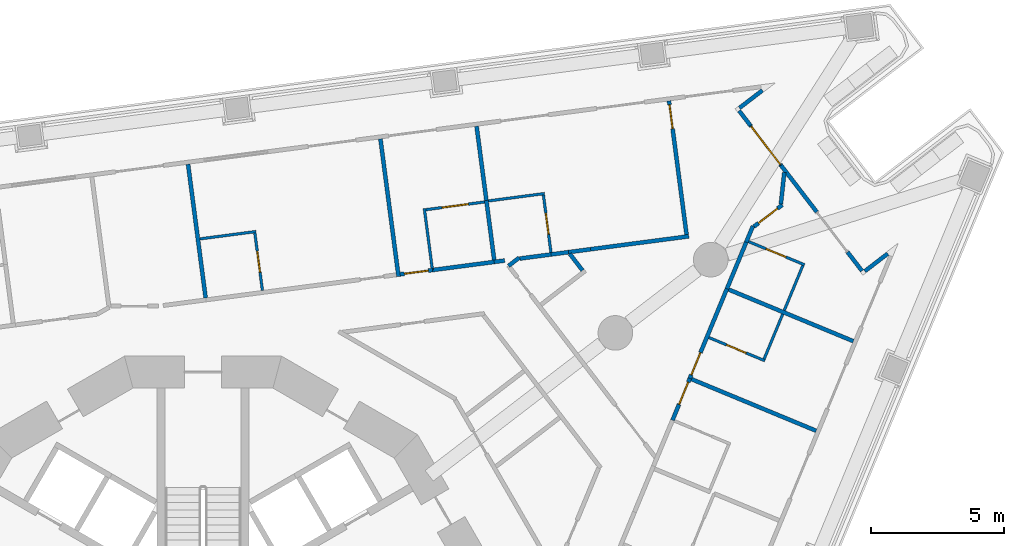
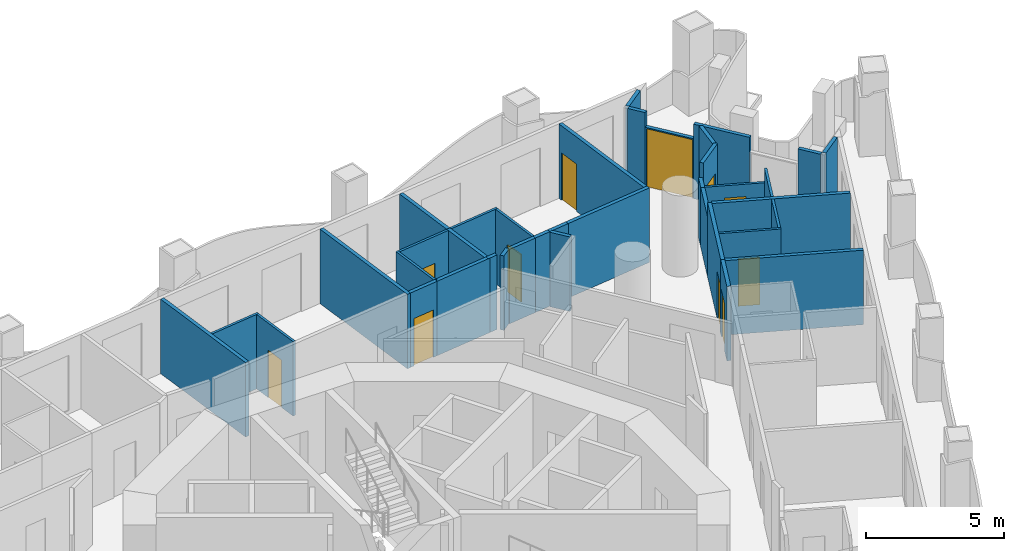
# One storey, part 10 of 19: 38 walls, 11 doors, 11 openings.
"""IFC4 building model written with IfcOpenShell, lengths in metres."""

from ifc_helpers import new_model, si_unit, direction, frame, frame_2d, origin, place, context, subcontext, project, spatial, polyline, rectangle, outline, extrude, material, layer, layer_set, type_object, element, fill, save


model = new_model("IFC4")

# Units and contexts
model_context = context("Model", 3, precision=1e-05, world=origin(), true_north=direction((0.0, 1.0)))
body_context = subcontext(model_context, "Body", "Model", "MODEL_VIEW")
ifc_project = project(units=[si_unit("LENGTHUNIT", "METRE"), si_unit("AREAUNIT", "SQUARE_METRE"), si_unit("VOLUMEUNIT", "CUBIC_METRE"), si_unit("PLANEANGLEUNIT", "RADIAN"), si_unit("MASSUNIT", "GRAM", prefix="KILO")], contexts=[model_context])

# Site, building, storey
site_placement = place(None, origin())
site = spatial("IfcSite", under=ifc_project, at=site_placement, CompositionType="ELEMENT")
building_placement = place(site_placement, origin())
building = spatial("IfcBuilding", under=site, at=building_placement, Name="Trine Commons Tower", CompositionType="ELEMENT")
storey_placement = place(building_placement, frame((0.0, 0.0, 75.60009765625)))
storey = spatial("IfcBuildingStorey", under=building, at=storey_placement, Name="L18", CompositionType="ELEMENT", Elevation=75.60009765625)

# Walls
ifc_material_1 = material(Name="Aluminium-framed insulated wall panel", Category="aluminium")
ifc_layer_1 = layer(ifc_material_1, 0.14990234375)
ifc_layer_set_1 = layer_set([ifc_layer_1], Name="Aluminium-framed insulated wall panel")
wall_type_1 = type_object("IfcWallType", Name="Glazed frame wall 150, EI 60", PredefinedType="SOLIDWALL", material=ifc_layer_set_1)
wall_1_placement = place(storey_placement, frame((101.129150390625, 83.584716796875, 0.0), z_axis=(0.0, 0.0, 1.0), x_axis=(-0.79337253673, -0.608736410905, 0.0)))
element("IfcWall", 1, at=wall_1_placement, inside=storey, type_object=wall_type_1, Name="Glazed frame wall R5", PredefinedType="SOLIDWALL", context=body_context, shape_type="SweptSolid", body=[
    extrude(outline(polyline([(0.1494140625, 0.074951171875), (0.1494140625, -0.074951171875), (1.235107421875, -0.074951171875), (1.235107421875, 0.074951171875), (0.1494140625, 0.074951171875)])), origin(), (0.0, 0.0, 1.0), 3.2998046875),
])
wall_2_placement = place(storey_placement, frame((100.068603515625, 82.81494140625, 0.0), z_axis=(0.0, 0.0, 1.0), x_axis=(0.608899188606, -0.79324761463, 0.0)))
element("IfcWall", 2, at=wall_2_placement, inside=storey, type_object=wall_type_1, Name="Glazed frame wall P2.1", PredefinedType="SOLIDWALL", context=body_context, shape_type="SweptSolid", body=[
    extrude(outline(polyline([(0.110107421875, -0.074951171875), (0.800048828125, -0.074951171875), (0.800048828125, 0.074951171875), (0.110107421875, 0.074951171875), (0.110107421875, -0.074951171875)])), origin(), (0.0, 0.0, 1.0), 3.2998046875),
])

# Wall, opening, door
wall_3_placement = place(storey_placement, frame((100.5556640625, 82.180419921875, 0.0), z_axis=(0.0, 0.0, 1.0), x_axis=(0.608803740143, -0.793320872023, 0.0)))
wall_3 = element("IfcWall", 3, at=wall_3_placement, inside=storey, type_object=wall_type_1, Name="Glazed frame wall P2.2", PredefinedType="SOLIDWALL", context=body_context, shape_type="SweptSolid", body=[
    extrude(outline(polyline([(0.0, -0.074951171875), (1.89990234375, -0.074951171875), (1.89990234375, 0.074951171875), (0.0, 0.074951171875), (0.0, -0.074951171875)])), origin(), (0.0, 0.0, 1.0), 2.64990234375),
])
opening_1_placement = place(wall_3_placement, frame((0.050048828125, 0.0, 0.0)))
opening_1 = element("IfcOpeningElement", 4, at=opening_1_placement, cuts=wall_3, Name="Opening BD-2P2-01", PredefinedType="OPENING", context=body_context, shape_type="SweptSolid", body=[
    extrude(rectangle(XDim=1.800048828125, YDim=2.60009765625, at=frame_2d((0.89990234375, 1.300048828125))), frame((0.0, 0.0849609375, 0.0), z_axis=(0.0, -1.0, 0.0), x_axis=(1.0, 0.0, 0.0)), (0.0, 0.0, 1.0), 0.169921875),
])
ifc_material_2 = material(Name="Anodised aluminium frame with double glazing", Category="aluminium")
door_type_1 = type_object("IfcDoorType", Name="Sliding loggia door 1800x2600", OperationType="SLIDING_TO_LEFT", PredefinedType="DOOR", material=ifc_material_2)
door_1_placement = place(opening_1_placement, origin())
door_1 = element("IfcDoor", 5, at=door_1_placement, inside=storey, type_object=door_type_1, Name="Loggia door P2 1", OperationType="SLIDING_TO_LEFT", OverallHeight=2.60009765625, OverallWidth=1.800048828125, PredefinedType="DOOR", context=body_context, shape_type="SweptSolid", body=[
    extrude(rectangle(XDim=1.800048828125, YDim=2.60009765625, at=frame_2d((0.89990234375, 1.300048828125))), frame((0.0, 0.02490234375, 0.0), z_axis=(0.0, -1.0, 0.0), x_axis=(1.0, 0.0, 0.0)), (0.0, 0.0, 1.0), 0.050048828125),
])
fill(opening_1, door_1)

# Walls
wall_4_placement = place(storey_placement, frame((101.71240234375, 80.673095703125, 0.0), z_axis=(0.0, 0.0, 1.0), x_axis=(0.608664482268, -0.793427720732, 0.0)))
element("IfcWall", 6, at=wall_4_placement, inside=storey, type_object=wall_type_1, Name="Glazed frame wall P2.3", PredefinedType="SOLIDWALL", context=body_context, shape_type="SweptSolid", body=[
    extrude(outline(polyline([(0.0, -0.074951171875), (2.199951171875, -0.074951171875), (2.199951171875, 0.074951171875), (0.0, 0.074951171875), (0.0, -0.074951171875)])), origin(), (0.0, 0.0, 1.0), 3.2998046875),
])
wall_5_placement = place(storey_placement, frame((104.208251953125, 77.420166015625, 0.0), z_axis=(0.0, 0.0, 1.0), x_axis=(0.608754453805, -0.793358692504, 0.0)))
element("IfcWall", 7, at=wall_5_placement, inside=storey, type_object=wall_type_1, Name="Glazed frame wall P2.5", PredefinedType="SOLIDWALL", context=body_context, shape_type="SweptSolid", body=[
    extrude(outline(polyline([(0.889892578125, 0.074951171875), (0.0, 0.074951171875), (0.0, -0.074951171875), (0.889892578125, -0.074951171875), (0.889892578125, 0.074951171875)])), origin(), (0.0, 0.0, 1.0), 3.2998046875),
])
wall_6_placement = place(storey_placement, frame((104.767822265625, 76.63330078125, 0.0), z_axis=(0.0, 0.0, 1.0), x_axis=(0.793352136239, 0.608762998157, 0.0)))
element("IfcWall", 8, at=wall_6_placement, inside=storey, type_object=wall_type_1, Name="Glazed frame wall R7", PredefinedType="SOLIDWALL", context=body_context, shape_type="SweptSolid", body=[
    extrude(outline(polyline([(0.110107421875, 0.074951171875), (0.110107421875, -0.074951171875), (1.19580078125, -0.074951171875), (1.19580078125, 0.074951171875), (0.110107421875, 0.074951171875)])), origin(), (0.0, 0.0, 1.0), 3.2998046875),
])
ifc_material_3 = material(Name="Gypsum plasterboard on steel stud", Category="steel")
ifc_layer_2 = layer(ifc_material_3, 0.14990234375)
ifc_layer_set_2 = layer_set([ifc_layer_2], Name="Gypsum plasterboard on steel stud")
wall_type_2 = type_object("IfcWallType", Name="Unit and corridor wall 150 mm, EI 60", PredefinedType="PARTITIONING", material=ifc_layer_set_2)
wall_7_placement = place(storey_placement, frame((79.439208984375, 80.71923828125, 0.0), z_axis=(0.0, 0.0, 1.0), x_axis=(0.130505643681, -0.991447566424, 0.0)))
element("IfcWall", 9, at=wall_7_placement, inside=storey, type_object=wall_type_2, Name="Partition 077", PredefinedType="PARTITIONING", context=body_context, shape_type="SweptSolid", body=[
    extrude(rectangle(XDim=5.06396484375, YDim=0.14990234375, at=frame_2d((2.531982421875, 0.0))), origin(), (0.0, 0.0, 1.0), 3.2998046875),
])
wall_8_placement = place(storey_placement, frame((86.664306640625, 81.67041015625, 0.0), z_axis=(0.0, 0.0, 1.0), x_axis=(0.130516294002, -0.991446164449, 0.0)))
element("IfcWall", 10, at=wall_8_placement, inside=storey, type_object=wall_type_2, Name="Partition 101", PredefinedType="PARTITIONING", context=body_context, shape_type="SweptSolid", body=[
    extrude(rectangle(XDim=5.21337890625, YDim=0.14990234375, at=frame_2d((2.606689453125, 0.0))), origin(), (0.0, 0.0, 1.0), 3.2998046875),
])

# Wall, opening, door
wall_9_placement = place(storey_placement, frame((87.405517578125, 76.584716796875, 0.0), z_axis=(0.0, 0.0, 1.0), x_axis=(0.99140610916, 0.130820207616, 0.0)))
wall_9 = element("IfcWall", 11, at=wall_9_placement, inside=storey, type_object=wall_type_2, Name="Partition 105", PredefinedType="PARTITIONING", context=body_context, shape_type="SweptSolid", body=[
    extrude(rectangle(XDim=1.22607421875, YDim=0.14990234375, at=frame_2d((0.613037109375, 0.0))), origin(), (0.0, 0.0, 1.0), 3.2998046875),
])
opening_2_placement = place(wall_9_placement, frame((0.160888671875, 0.0, 0.0)))
opening_2 = element("IfcOpeningElement", 12, at=opening_2_placement, cuts=wall_9, Name="Opening D-2C13", PredefinedType="OPENING", context=body_context, shape_type="SweptSolid", body=[
    extrude(rectangle(XDim=0.89990234375, YDim=2.10009765625, at=frame_2d((0.449951171875, 1.050048828125))), frame((0.0, 0.0849609375, 0.0), z_axis=(0.0, -1.0, 0.0), x_axis=(1.0, 0.0, 0.0)), (0.0, 0.0, 1.0), 0.169921875),
])
ifc_material_4 = material(Name="Timber fire door set", Category="wood")
door_type_2 = type_object("IfcDoorType", Name="Bedroom door 900 x 2100, FD30S", OperationType="NOTDEFINED", PredefinedType="DOOR", material=ifc_material_4)
door_2_placement = place(opening_2_placement, origin())
door_2 = element("IfcDoor", 13, at=door_2_placement, inside=storey, type_object=door_type_2, Name="Door D-2C13", OperationType="SINGLE_SWING_LEFT", OverallHeight=2.10009765625, OverallWidth=0.89990234375, PredefinedType="DOOR", context=body_context, shape_type="SweptSolid", body=[
    extrude(rectangle(XDim=0.89990234375, YDim=2.10009765625, at=frame_2d((0.449951171875, 1.050048828125))), frame((0.0, 0.02490234375, 0.0), z_axis=(0.0, -1.0, 0.0), x_axis=(1.0, 0.0, 0.0)), (0.0, 0.0, 1.0), 0.050048828125),
])
fill(opening_2, door_2)

# Walls
wall_10_placement = place(storey_placement, frame((88.613037109375, 76.743896484375, 0.0), z_axis=(0.0, 0.0, 1.0), x_axis=(0.991430030874, 0.13063879164, 0.0)))
element("IfcWall", 14, at=wall_10_placement, inside=storey, type_object=wall_type_2, Name="Partition 111", PredefinedType="PARTITIONING", context=body_context, shape_type="SweptSolid", body=[
    extrude(rectangle(XDim=2.43310546875, YDim=0.14990234375, at=frame_2d((1.216552734375, 0.0))), origin(), (0.0, 0.0, 1.0), 3.2998046875),
])
wall_11_placement = place(storey_placement, frame((90.276123046875, 82.146240234375, 0.0), z_axis=(0.0, 0.0, 1.0), x_axis=(0.130770959069, -0.991412606468, 0.0)))
element("IfcWall", 15, at=wall_11_placement, inside=storey, type_object=wall_type_2, Name="Partition 117", PredefinedType="PARTITIONING", context=body_context, shape_type="SweptSolid", body=[
    extrude(rectangle(XDim=2.893798828125, YDim=0.14990234375, at=frame_2d((1.44677734375, 0.0))), origin(), (0.0, 0.0, 1.0), 3.2998046875),
])
wall_12_placement = place(storey_placement, frame((90.6435546875, 79.361572265625, 0.0), z_axis=(0.0, 0.0, 1.0), x_axis=(0.130227687499, -0.991484114552, 0.0)))
element("IfcWall", 16, at=wall_12_placement, inside=storey, type_object=wall_type_2, Name="Partition 121", PredefinedType="PARTITIONING", context=body_context, shape_type="SweptSolid", body=[
    extrude(rectangle(XDim=2.25537109375, YDim=0.14990234375, at=frame_2d((1.127685546875, 0.0))), origin(), (0.0, 0.0, 1.0), 3.2998046875),
])
wall_13_placement = place(storey_placement, frame((90.935302734375, 77.050048828125, 0.0), z_axis=(0.0, 0.0, 1.0), x_axis=(0.991508240123, 0.130043876322, 0.0)))
element("IfcWall", 17, at=wall_13_placement, inside=storey, type_object=wall_type_2, Name="Partition 125", PredefinedType="PARTITIONING", context=body_context, shape_type="SweptSolid", body=[
    extrude(rectangle(XDim=0.39990234375, YDim=0.14990234375, at=frame_2d((0.199951171875, 0.0))), origin(), (0.0, 0.0, 1.0), 3.2998046875),
])
wall_14_placement = place(storey_placement, frame((91.47607421875, 76.903076171875, 0.0), z_axis=(0.0, 0.0, 1.0), x_axis=(0.794371473226, 0.607432269908, 0.0)))
element("IfcWall", 18, at=wall_14_placement, inside=storey, type_object=wall_type_2, Name="Partition 129", PredefinedType="PARTITIONING", context=body_context, shape_type="SweptSolid", body=[
    extrude(rectangle(XDim=0.508056640625, YDim=0.14990234375, at=frame_2d((0.25390625, 0.0))), origin(), (0.0, 0.0, 1.0), 3.2998046875),
])
wall_15_placement = place(storey_placement, frame((91.894287109375, 77.17578125, 0.0), z_axis=(0.0, 0.0, 1.0), x_axis=(0.991471614011, 0.130322824598, 0.0)))
element("IfcWall", 19, at=wall_15_placement, inside=storey, type_object=wall_type_2, Name="Partition 130", PredefinedType="PARTITIONING", context=body_context, shape_type="SweptSolid", body=[
    extrude(rectangle(XDim=1.198974609375, YDim=0.14990234375, at=frame_2d((0.599609375, 0.0))), origin(), (0.0, 0.0, 1.0), 3.2998046875),
])
wall_16_placement = place(storey_placement, frame((93.074951171875, 77.3310546875, 0.0), z_axis=(0.0, 0.0, 1.0), x_axis=(0.991453033969, 0.130464100171, 0.0)))
element("IfcWall", 20, at=wall_16_placement, inside=storey, type_object=wall_type_2, Name="Partition 142", PredefinedType="PARTITIONING", context=body_context, shape_type="SweptSolid", body=[
    extrude(rectangle(XDim=0.65869140625, YDim=0.14990234375, at=frame_2d((0.329345703125, 0.0))), origin(), (0.0, 0.0, 1.0), 3.2998046875),
])
wall_17_placement = place(storey_placement, frame((93.773681640625, 77.357421875, 0.0), z_axis=(0.0, 0.0, 1.0), x_axis=(0.609485891215, -0.792796914985, 0.0)))
element("IfcWall", 21, at=wall_17_placement, inside=storey, type_object=wall_type_2, Name="Partition 145", PredefinedType="PARTITIONING", context=body_context, shape_type="SweptSolid", body=[
    extrude(rectangle(XDim=0.787109375, YDim=0.14990234375, at=frame_2d((0.3935546875, 0.0))), origin(), (0.0, 0.0, 1.0), 3.2998046875),
])
wall_18_placement = place(storey_placement, frame((93.72802734375, 77.4169921875, 0.0), z_axis=(0.0, 0.0, 1.0), x_axis=(0.991356991582, 0.131191902348, 0.0)))
element("IfcWall", 22, at=wall_18_placement, inside=storey, type_object=wall_type_2, Name="Partition 146", PredefinedType="PARTITIONING", context=body_context, shape_type="SweptSolid", body=[
    extrude(rectangle(XDim=0.83935546875, YDim=0.14990234375, at=frame_2d((0.419677734375, 0.0))), origin(), (0.0, 0.0, 1.0), 3.2998046875),
])
wall_19_placement = place(storey_placement, frame((94.56005859375, 77.527099609375, 0.0), z_axis=(0.0, 0.0, 1.0), x_axis=(0.991468816947, 0.130344102367, 0.0)))
element("IfcWall", 23, at=wall_19_placement, inside=storey, type_object=wall_type_2, Name="Partition 148", PredefinedType="PARTITIONING", context=body_context, shape_type="SweptSolid", body=[
    extrude(rectangle(XDim=3.718017578125, YDim=0.14990234375, at=frame_2d((1.85888671875, 0.0))), origin(), (0.0, 0.0, 1.0), 3.2998046875),
])

# Wall, opening, door
wall_20_placement = place(storey_placement, frame((97.501220703125, 83.097412109375, 0.0), z_axis=(0.0, 0.0, 1.0), x_axis=(0.130499406053, -0.991448387471, 0.0)))
wall_20 = element("IfcWall", 24, at=wall_20_placement, inside=storey, type_object=wall_type_2, Name="Partition 153", PredefinedType="PARTITIONING", context=body_context, shape_type="SweptSolid", body=[
    extrude(rectangle(XDim=5.064208984375, YDim=0.14990234375, at=frame_2d((2.5322265625, 0.0))), origin(), (0.0, 0.0, 1.0), 3.2998046875),
])
opening_3_placement = place(wall_20_placement, frame((0.14990234375, 0.0, 0.0)))
opening_3 = element("IfcOpeningElement", 25, at=opening_3_placement, cuts=wall_20, Name="Opening D-2C14", PredefinedType="OPENING", context=body_context, shape_type="SweptSolid", body=[
    extrude(rectangle(XDim=0.89990234375, YDim=2.10009765625, at=frame_2d((0.449951171875, 1.050048828125))), frame((0.0, 0.0849609375, 0.0), z_axis=(0.0, -1.0, 0.0), x_axis=(1.0, 0.0, 0.0)), (0.0, 0.0, 1.0), 0.169921875),
])
door_3_placement = place(opening_3_placement, frame((0.89990234375, 0.0, 0.0), z_axis=(0.0, 0.0, 1.0), x_axis=(-1.0, 0.0, 0.0)))
door_3 = element("IfcDoor", 26, at=door_3_placement, inside=storey, type_object=door_type_2, Name="Door D-2C14", OperationType="SINGLE_SWING_RIGHT", OverallHeight=2.10009765625, OverallWidth=0.89990234375, PredefinedType="DOOR", context=body_context, shape_type="SweptSolid", body=[
    extrude(rectangle(XDim=0.89990234375, YDim=2.10009765625, at=frame_2d((0.449951171875, 1.050048828125))), frame((0.0, 0.02490234375, 0.0), z_axis=(0.0, -1.0, 0.0), x_axis=(1.0, 0.0, 0.0)), (0.0, 0.0, 1.0), 0.050048828125),
])
fill(opening_3, door_3)

wall_21_placement = place(storey_placement, frame((97.633056640625, 71.10595703125, 0.0), z_axis=(0.0, 0.0, 1.0), x_axis=(0.382868343203, 0.923802918253, 0.0)))
wall_21 = element("IfcWall", 27, at=wall_21_placement, inside=storey, type_object=wall_type_2, Name="Partition 154", PredefinedType="PARTITIONING", context=body_context, shape_type="SweptSolid", body=[
    extrude(rectangle(XDim=1.697509765625, YDim=0.14990234375, at=frame_2d((0.8486328125, 0.0))), origin(), (0.0, 0.0, 1.0), 3.2998046875),
])
opening_4_placement = place(wall_21_placement, frame((0.647216796875, 0.0, 0.0)))
opening_4 = element("IfcOpeningElement", 28, at=opening_4_placement, cuts=wall_21, Name="Opening D-2C17", PredefinedType="OPENING", context=body_context, shape_type="SweptSolid", body=[
    extrude(rectangle(XDim=0.89990234375, YDim=2.10009765625, at=frame_2d((0.449951171875, 1.050048828125))), frame((0.0, 0.0849609375, 0.0), z_axis=(0.0, -1.0, 0.0), x_axis=(1.0, 0.0, 0.0)), (0.0, 0.0, 1.0), 0.169921875),
])
door_4_placement = place(opening_4_placement, frame((0.89990234375, 0.0, 0.0), z_axis=(0.0, 0.0, 1.0), x_axis=(-1.0, 0.0, 0.0)))
door_4 = element("IfcDoor", 29, at=door_4_placement, inside=storey, type_object=door_type_2, Name="Door D-2C17", OperationType="SINGLE_SWING_LEFT", OverallHeight=2.10009765625, OverallWidth=0.89990234375, PredefinedType="DOOR", context=body_context, shape_type="SweptSolid", body=[
    extrude(rectangle(XDim=0.89990234375, YDim=2.10009765625, at=frame_2d((0.449951171875, 1.050048828125))), frame((0.0, 0.02490234375, 0.0), z_axis=(0.0, -1.0, 0.0), x_axis=(1.0, 0.0, 0.0)), (0.0, 0.0, 1.0), 0.050048828125),
])
fill(opening_4, door_4)

wall_22_placement = place(storey_placement, frame((98.282958984375, 72.674072265625, 0.0), z_axis=(0.0, 0.0, 1.0), x_axis=(0.382639824681, 0.9238975942, 0.0)))
wall_22 = element("IfcWall", 30, at=wall_22_placement, inside=storey, type_object=wall_type_2, Name="Partition 157", PredefinedType="PARTITIONING", context=body_context, shape_type="SweptSolid", body=[
    extrude(rectangle(XDim=3.643310546875, YDim=0.14990234375, at=frame_2d((1.82177734375, 0.0))), origin(), (0.0, 0.0, 1.0), 3.2998046875),
])
opening_5_placement = place(wall_22_placement, frame((0.14990234375, 0.0, 0.0)))
opening_5 = element("IfcOpeningElement", 31, at=opening_5_placement, cuts=wall_22, Name="Opening D-2C16", PredefinedType="OPENING", context=body_context, shape_type="SweptSolid", body=[
    extrude(rectangle(XDim=0.89990234375, YDim=2.10009765625, at=frame_2d((0.449951171875, 1.050048828125))), frame((0.0, 0.0849609375, 0.0), z_axis=(0.0, -1.0, 0.0), x_axis=(1.0, 0.0, 0.0)), (0.0, 0.0, 1.0), 0.169921875),
])
door_5_placement = place(opening_5_placement, frame((0.89990234375, 0.0, 0.0), z_axis=(0.0, 0.0, 1.0), x_axis=(-1.0, 0.0, 0.0)))
door_5 = element("IfcDoor", 32, at=door_5_placement, inside=storey, type_object=door_type_2, Name="Door D-2C16", OperationType="SINGLE_SWING_RIGHT", OverallHeight=2.10009765625, OverallWidth=0.89990234375, PredefinedType="DOOR", context=body_context, shape_type="SweptSolid", body=[
    extrude(rectangle(XDim=0.89990234375, YDim=2.10009765625, at=frame_2d((0.449951171875, 1.050048828125))), frame((0.0, 0.02490234375, 0.0), z_axis=(0.0, -1.0, 0.0), x_axis=(1.0, 0.0, 0.0)), (0.0, 0.0, 1.0), 0.050048828125),
])
fill(opening_5, door_5)

# Walls
wall_23_placement = place(storey_placement, frame((98.352294921875, 72.645263671875, 0.0), z_axis=(0.0, 0.0, 1.0), x_axis=(0.923879340067, -0.382683896966, 0.0)))
element("IfcWall", 33, at=wall_23_placement, inside=storey, type_object=wall_type_2, Name="Partition 158", PredefinedType="PARTITIONING", context=body_context, shape_type="SweptSolid", body=[
    extrude(rectangle(XDim=5.064208984375, YDim=0.14990234375, at=frame_2d((2.5322265625, 0.0))), origin(), (0.0, 0.0, 1.0), 3.2998046875),
])
wall_24_placement = place(storey_placement, frame((99.677001953125, 76.0400390625, 0.0), z_axis=(0.0, 0.0, 1.0), x_axis=(0.382690071798, 0.92387678234, 0.0)))
element("IfcWall", 34, at=wall_24_placement, inside=storey, type_object=wall_type_2, Name="Partition 162", PredefinedType="PARTITIONING", context=body_context, shape_type="SweptSolid", body=[
    extrude(rectangle(XDim=1.95458984375, YDim=0.14990234375, at=frame_2d((0.977294921875, 0.0))), origin(), (0.0, 0.0, 1.0), 2.64990234375),
])
wall_25_placement = place(storey_placement, frame((99.746337890625, 76.01123046875, 0.0), z_axis=(0.0, 0.0, 1.0), x_axis=(0.923879340067, -0.382683896966, 0.0)))
element("IfcWall", 35, at=wall_25_placement, inside=storey, type_object=wall_type_2, Name="Partition 163", PredefinedType="PARTITIONING", context=body_context, shape_type="SweptSolid", body=[
    extrude(rectangle(XDim=5.064208984375, YDim=0.14990234375, at=frame_2d((2.5322265625, 0.0))), origin(), (0.0, 0.0, 1.0), 3.2998046875),
])
wall_26_placement = place(storey_placement, frame((100.40283203125, 77.791748046875, 0.0), z_axis=(0.0, 0.0, 1.0), x_axis=(0.382913749116, 0.923784098552, 0.0)))
element("IfcWall", 36, at=wall_26_placement, inside=storey, type_object=wall_type_2, Name="Partition 164", PredefinedType="PARTITIONING", context=body_context, shape_type="SweptSolid", body=[
    extrude(rectangle(XDim=0.65234375, YDim=0.14990234375, at=frame_2d((0.326171875, 0.0))), origin(), (0.0, 0.0, 1.0), 2.64990234375),
])

# Wall, opening, door
wall_27_placement = place(storey_placement, frame((100.68359375, 78.37060546875, 0.0), z_axis=(0.0, 0.0, 1.0), x_axis=(0.793207864218, 0.608950970229, 0.0)))
wall_27 = element("IfcWall", 37, at=wall_27_placement, inside=storey, type_object=wall_type_2, Name="Partition 166", PredefinedType="PARTITIONING", context=body_context, shape_type="SweptSolid", body=[
    extrude(rectangle(XDim=1.3515625, YDim=0.14990234375, at=frame_2d((0.67578125, 0.0))), origin(), (0.0, 0.0, 1.0), 3.2998046875),
])
opening_6_placement = place(wall_27_placement, frame((0.22509765625, 0.0, 0.0)))
opening_6 = element("IfcOpeningElement", 38, at=opening_6_placement, cuts=wall_27, Name="Opening D-2C15", PredefinedType="OPENING", context=body_context, shape_type="SweptSolid", body=[
    extrude(rectangle(XDim=0.89990234375, YDim=2.10009765625, at=frame_2d((0.449951171875, 1.050048828125))), frame((0.0, 0.0849609375, 0.0), z_axis=(0.0, -1.0, 0.0), x_axis=(1.0, 0.0, 0.0)), (0.0, 0.0, 1.0), 0.169921875),
])
door_6_placement = place(opening_6_placement, frame((0.89990234375, 0.0, 0.0), z_axis=(0.0, 0.0, 1.0), x_axis=(-1.0, 0.0, 0.0)))
door_6 = element("IfcDoor", 39, at=door_6_placement, inside=storey, type_object=door_type_2, Name="Door D-2C15", OperationType="SINGLE_SWING_RIGHT", OverallHeight=2.10009765625, OverallWidth=0.89990234375, PredefinedType="DOOR", context=body_context, shape_type="SweptSolid", body=[
    extrude(rectangle(XDim=0.89990234375, YDim=2.10009765625, at=frame_2d((0.449951171875, 1.050048828125))), frame((0.0, 0.02490234375, 0.0), z_axis=(0.0, -1.0, 0.0), x_axis=(1.0, 0.0, 0.0)), (0.0, 0.0, 1.0), 0.050048828125),
])
fill(opening_6, door_6)

# Walls
wall_28_placement = place(storey_placement, frame((101.7041015625, 79.22265625, 0.0), z_axis=(0.0, 0.0, 1.0), x_axis=(0.107345802041, 0.994221745278, 0.0)))
element("IfcWall", 40, at=wall_28_placement, inside=storey, type_object=wall_type_2, Name="Partition 168", PredefinedType="PARTITIONING", context=body_context, shape_type="SweptSolid", body=[
    extrude(rectangle(XDim=1.198486328125, YDim=0.14990234375, at=frame_2d((0.59912109375, 0.0))), origin(), (0.0, 0.0, 1.0), 3.2998046875),
])
ifc_layer_3 = layer(ifc_material_3, 0.10009765625)
ifc_layer_set_3 = layer_set([ifc_layer_3], Name="Gypsum plasterboard on steel stud")
wall_type_3 = type_object("IfcWallType", Name="Unit partition 100 mm, no rating", PredefinedType="PARTITIONING", material=ifc_layer_set_3)
wall_29_placement = place(storey_placement, frame((79.884521484375, 77.914794921875, 0.0), z_axis=(0.0, 0.0, 1.0), x_axis=(0.991484002745, 0.130228538733, 0.0)))
element("IfcWall", 41, at=wall_29_placement, inside=storey, type_object=wall_type_3, Name="Partition 078", PredefinedType="PARTITIONING", context=body_context, shape_type="SweptSolid", body=[
    extrude(rectangle(XDim=2.1240234375, YDim=0.10009765625, at=frame_2d((1.06201171875, 0.0))), origin(), (0.0, 0.0, 1.0), 3.2998046875),
])

# Wall, opening, door
wall_30_placement = place(storey_placement, frame((81.947509765625, 78.135498046875, 0.0), z_axis=(0.0, 0.0, 1.0), x_axis=(0.130898813875, -0.991395733563, 0.0)))
wall_30 = element("IfcWall", 42, at=wall_30_placement, inside=storey, type_object=wall_type_3, Name="Partition 082", PredefinedType="PARTITIONING", context=body_context, shape_type="SweptSolid", body=[
    extrude(rectangle(XDim=2.1748046875, YDim=0.10009765625, at=frame_2d((1.08740234375, 0.0))), origin(), (0.0, 0.0, 1.0), 3.2998046875),
])
opening_7_placement = place(wall_30_placement, frame((0.6875, 0.0, 0.0)))
opening_7 = element("IfcOpeningElement", 43, at=opening_7_placement, cuts=wall_30, Name="Opening D-2C45", PredefinedType="OPENING", context=body_context, shape_type="SweptSolid", body=[
    extrude(rectangle(XDim=0.800048828125, YDim=2.10009765625, at=frame_2d((0.39990234375, 1.050048828125))), frame((0.0, 0.06005859375, 0.0), z_axis=(0.0, -1.0, 0.0), x_axis=(1.0, 0.0, 0.0)), (0.0, 0.0, 1.0), 0.1201171875),
])
ifc_material_5 = material(Name="Painted timber", Category="wood")
door_type_3 = type_object("IfcDoorType", Name="Internal door 800 x 2100, NOT RATED", OperationType="NOTDEFINED", PredefinedType="DOOR", material=ifc_material_5)
door_7_placement = place(opening_7_placement, origin())
door_7 = element("IfcDoor", 44, at=door_7_placement, inside=storey, type_object=door_type_3, Name="Door D-2C45", OperationType="SINGLE_SWING_LEFT", OverallHeight=2.10009765625, OverallWidth=0.800048828125, PredefinedType="DOOR", context=body_context, shape_type="SweptSolid", body=[
    extrude(rectangle(XDim=0.800048828125, YDim=2.10009765625, at=frame_2d((0.39990234375, 1.050048828125))), frame((0.0, 0.02490234375, 0.0), z_axis=(0.0, -1.0, 0.0), x_axis=(1.0, 0.0, 0.0)), (0.0, 0.0, 1.0), 0.050048828125),
])
fill(opening_7, door_7)

# Wall
wall_31_placement = place(storey_placement, frame((88.3134765625, 79.0546875, 0.0), z_axis=(0.0, 0.0, 1.0), x_axis=(0.130207921937, -0.991486710483, 0.0)))
element("IfcWall", 45, at=wall_31_placement, inside=storey, type_object=wall_type_3, Name="Partition 108", PredefinedType="PARTITIONING", context=body_context, shape_type="SweptSolid", body=[
    extrude(rectangle(XDim=2.33056640625, YDim=0.10009765625, at=frame_2d((1.165283203125, 0.0))), origin(), (0.0, 0.0, 1.0), 3.2998046875),
])

# Wall, opening, door
wall_32_placement = place(storey_placement, frame((88.36962890625, 79.011474609375, 0.0), z_axis=(0.0, 0.0, 1.0), x_axis=(0.991425141763, 0.130675890199, 0.0)))
wall_32 = element("IfcWall", 46, at=wall_32_placement, inside=storey, type_object=wall_type_3, Name="Partition 109", PredefinedType="PARTITIONING", context=body_context, shape_type="SweptSolid", body=[
    extrude(rectangle(XDim=2.22509765625, YDim=0.10009765625, at=frame_2d((1.112548828125, 0.0))), origin(), (0.0, 0.0, 1.0), 3.2998046875),
])
opening_8_placement = place(wall_32_placement, frame((0.612548828125, 0.0, 0.0)))
opening_8 = element("IfcOpeningElement", 47, at=opening_8_placement, cuts=wall_32, Name="Opening D-2C46", PredefinedType="OPENING", context=body_context, shape_type="SweptSolid", body=[
    extrude(rectangle(XDim=1.0, YDim=2.10009765625, at=frame_2d((0.5, 1.050048828125))), frame((0.0, 0.06005859375, 0.0), z_axis=(0.0, -1.0, 0.0), x_axis=(1.0, 0.0, 0.0)), (0.0, 0.0, 1.0), 0.1201171875),
])
door_type_4 = type_object("IfcDoorType", Name="Internal door 1000 x 2100, NOT RATED", OperationType="NOTDEFINED", PredefinedType="DOOR", material=ifc_material_5)
door_8_placement = place(opening_8_placement, origin())
door_8 = element("IfcDoor", 48, at=door_8_placement, inside=storey, type_object=door_type_4, Name="Door D-2C46", OperationType="SINGLE_SWING_LEFT", OverallHeight=2.10009765625, OverallWidth=1.0, PredefinedType="DOOR", context=body_context, shape_type="SweptSolid", body=[
    extrude(rectangle(XDim=1.0, YDim=2.10009765625, at=frame_2d((0.5, 1.050048828125))), frame((0.0, 0.02490234375, 0.0), z_axis=(0.0, -1.0, 0.0), x_axis=(1.0, 0.0, 0.0)), (0.0, 0.0, 1.0), 0.050048828125),
])
fill(opening_8, door_8)

# Wall
wall_33_placement = place(storey_placement, frame((90.721435546875, 79.3408203125, 0.0), z_axis=(0.0, 0.0, 1.0), x_axis=(0.991434344141, 0.130606053677, 0.0)))
element("IfcWall", 49, at=wall_33_placement, inside=storey, type_object=wall_type_3, Name="Partition 120", PredefinedType="PARTITIONING", context=body_context, shape_type="SweptSolid", body=[
    extrude(rectangle(XDim=2.12548828125, YDim=0.10009765625, at=frame_2d((1.062744140625, 0.0))), origin(), (0.0, 0.0, 1.0), 3.2998046875),
])

# Wall, opening, door
wall_34_placement = place(storey_placement, frame((92.785400390625, 79.5625, 0.0), z_axis=(0.0, 0.0, 1.0), x_axis=(0.130457416757, -0.991453913409, 0.0)))
wall_34 = element("IfcWall", 50, at=wall_34_placement, inside=storey, type_object=wall_type_3, Name="Partition 137", PredefinedType="PARTITIONING", context=body_context, shape_type="SweptSolid", body=[
    extrude(rectangle(XDim=2.174560546875, YDim=0.10009765625, at=frame_2d((1.08740234375, 0.0))), origin(), (0.0, 0.0, 1.0), 3.2998046875),
])
opening_9_placement = place(wall_34_placement, frame((0.687255859375, 0.0, 0.0)))
opening_9 = element("IfcOpeningElement", 51, at=opening_9_placement, cuts=wall_34, Name="Opening D-2C47", PredefinedType="OPENING", context=body_context, shape_type="SweptSolid", body=[
    extrude(rectangle(XDim=0.800048828125, YDim=2.10009765625, at=frame_2d((0.39990234375, 1.050048828125))), frame((0.0, 0.06005859375, 0.0), z_axis=(0.0, -1.0, 0.0), x_axis=(1.0, 0.0, 0.0)), (0.0, 0.0, 1.0), 0.1201171875),
])
door_9_placement = place(opening_9_placement, origin())
door_9 = element("IfcDoor", 52, at=door_9_placement, inside=storey, type_object=door_type_3, Name="Door D-2C47", OperationType="SINGLE_SWING_LEFT", OverallHeight=2.10009765625, OverallWidth=0.800048828125, PredefinedType="DOOR", context=body_context, shape_type="SweptSolid", body=[
    extrude(rectangle(XDim=0.800048828125, YDim=2.10009765625, at=frame_2d((0.39990234375, 1.050048828125))), frame((0.0, 0.02490234375, 0.0), z_axis=(0.0, -1.0, 0.0), x_axis=(1.0, 0.0, 0.0)), (0.0, 0.0, 1.0), 0.050048828125),
])
fill(opening_9, door_9)

wall_35_placement = place(storey_placement, frame((99.000244140625, 74.210205078125, 0.0), z_axis=(0.0, 0.0, 1.0), x_axis=(0.92378006954, -0.382923469012, 0.0)))
wall_35 = element("IfcWall", 53, at=wall_35_placement, inside=storey, type_object=wall_type_3, Name="Partition 159", PredefinedType="PARTITIONING", context=body_context, shape_type="SweptSolid", body=[
    extrude(rectangle(XDim=2.275390625, YDim=0.10009765625, at=frame_2d((1.1376953125, 0.0))), origin(), (0.0, 0.0, 1.0), 3.2998046875),
])
opening_10_placement = place(wall_35_placement, frame((0.712646484375, 0.0, 0.0)))
opening_10 = element("IfcOpeningElement", 54, at=opening_10_placement, cuts=wall_35, Name="Opening D-2C49", PredefinedType="OPENING", context=body_context, shape_type="SweptSolid", body=[
    extrude(rectangle(XDim=0.800048828125, YDim=2.10009765625, at=frame_2d((0.39990234375, 1.050048828125))), frame((0.0, 0.06005859375, 0.0), z_axis=(0.0, -1.0, 0.0), x_axis=(1.0, 0.0, 0.0)), (0.0, 0.0, 1.0), 0.1201171875),
])
door_10_placement = place(opening_10_placement, frame((0.800048828125, 0.0, 0.0), z_axis=(0.0, 0.0, 1.0), x_axis=(-1.0, 0.0, 0.0)))
door_10 = element("IfcDoor", 55, at=door_10_placement, inside=storey, type_object=door_type_3, Name="Door D-2C49", OperationType="SINGLE_SWING_RIGHT", OverallHeight=2.10009765625, OverallWidth=0.800048828125, PredefinedType="DOOR", context=body_context, shape_type="SweptSolid", body=[
    extrude(rectangle(XDim=0.800048828125, YDim=2.10009765625, at=frame_2d((0.39990234375, 1.050048828125))), frame((0.0, 0.02490234375, 0.0), z_axis=(0.0, -1.0, 0.0), x_axis=(1.0, 0.0, 0.0)), (0.0, 0.0, 1.0), 0.050048828125),
])
fill(opening_10, door_10)

wall_36_placement = place(storey_placement, frame((100.4921875, 77.813232421875, 0.0), z_axis=(0.0, 0.0, 1.0), x_axis=(0.92378006954, -0.382923469012, 0.0)))
wall_36 = element("IfcWall", 56, at=wall_36_placement, inside=storey, type_object=wall_type_3, Name="Partition 165", PredefinedType="PARTITIONING", context=body_context, shape_type="SweptSolid", body=[
    extrude(rectangle(XDim=2.275390625, YDim=0.10009765625, at=frame_2d((1.1376953125, 0.0))), origin(), (0.0, 0.0, 1.0), 2.64990234375),
])
opening_11_placement = place(wall_36_placement, frame((0.712646484375, 0.0, 0.0)))
opening_11 = element("IfcOpeningElement", 57, at=opening_11_placement, cuts=wall_36, Name="Opening D-2C48", PredefinedType="OPENING", context=body_context, shape_type="SweptSolid", body=[
    extrude(rectangle(XDim=0.800048828125, YDim=2.10009765625, at=frame_2d((0.39990234375, 1.050048828125))), frame((0.0, 0.06005859375, 0.0), z_axis=(0.0, -1.0, 0.0), x_axis=(1.0, 0.0, 0.0)), (0.0, 0.0, 1.0), 0.1201171875),
])
door_11_placement = place(opening_11_placement, origin())
door_11 = element("IfcDoor", 58, at=door_11_placement, inside=storey, type_object=door_type_3, Name="Door D-2C48", OperationType="SINGLE_SWING_LEFT", OverallHeight=2.10009765625, OverallWidth=0.800048828125, PredefinedType="DOOR", context=body_context, shape_type="SweptSolid", body=[
    extrude(rectangle(XDim=0.800048828125, YDim=2.10009765625, at=frame_2d((0.39990234375, 1.050048828125))), frame((0.0, 0.02490234375, 0.0), z_axis=(0.0, -1.0, 0.0), x_axis=(1.0, 0.0, 0.0)), (0.0, 0.0, 1.0), 0.050048828125),
])
fill(opening_11, door_11)

# Walls
wall_37_placement = place(storey_placement, frame((101.0751953125, 73.404296875, 0.0), z_axis=(0.0, 0.0, 1.0), x_axis=(0.382410862233, 0.923992387656, 0.0)))
element("IfcWall", 59, at=wall_37_placement, inside=storey, type_object=wall_type_3, Name="Partition 167", PredefinedType="PARTITIONING", context=body_context, shape_type="SweptSolid", body=[
    extrude(rectangle(XDim=1.8251953125, YDim=0.10009765625, at=frame_2d((0.91259765625, 0.0))), origin(), (0.0, 0.0, 1.0), 3.2998046875),
])
wall_38_placement = place(storey_placement, frame((101.830810546875, 75.229248046875, 0.0), z_axis=(0.0, 0.0, 1.0), x_axis=(0.382599996846, 0.923914088221, 0.0)))
element("IfcWall", 60, at=wall_38_placement, inside=storey, type_object=wall_type_3, Name="Partition 169", PredefinedType="PARTITIONING", context=body_context, shape_type="SweptSolid", body=[
    extrude(rectangle(XDim=1.824462890625, YDim=0.10009765625, at=frame_2d((0.912109375, 0.0))), origin(), (0.0, 0.0, 1.0), 3.2998046875),
])

save(model, "model.ifc")
